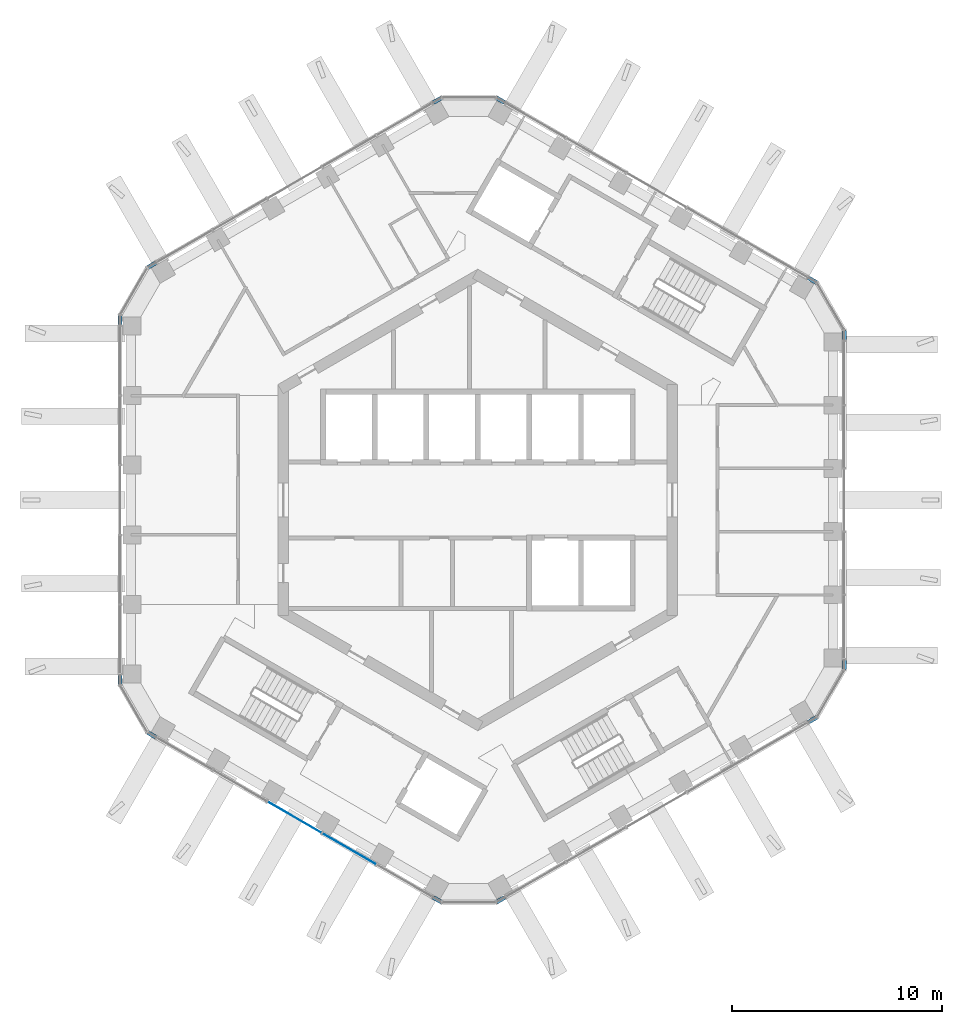
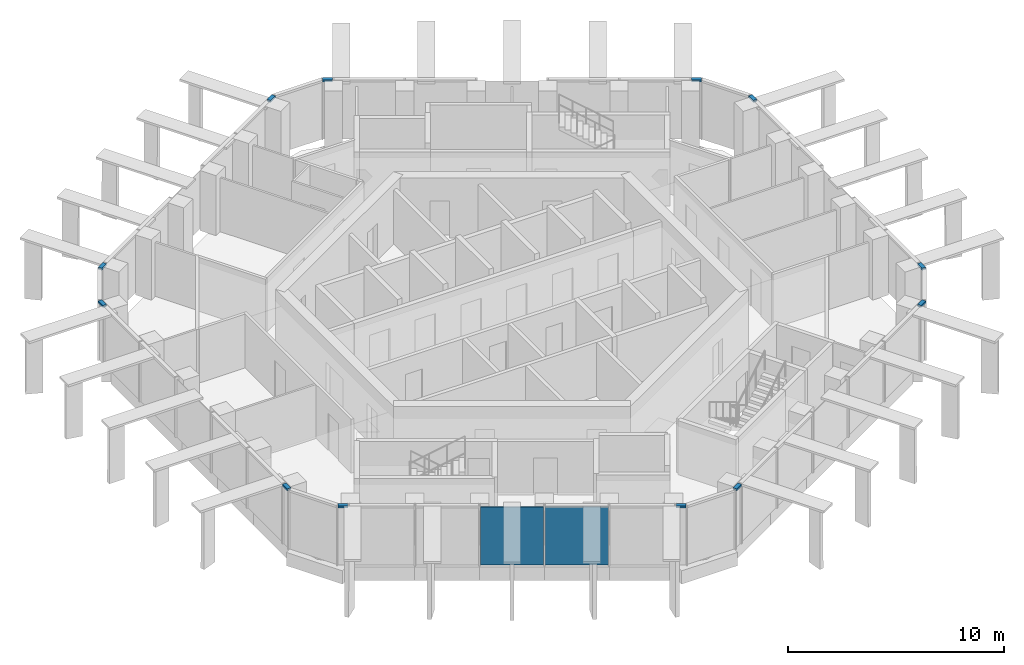
# One storey, part 6 of 18: 12 members, 2 plates, 7 elements without a shape of their own.
"""IFC4 building model written with IfcOpenShell, lengths in metres."""

from ifc_helpers import new_model, si_unit, direction, frame, origin, origin_2d, place, context, subcontext, project, spatial, rectangle, extrude, material, layer, layer_set, material_profile, profile_set, type_object, element, aggregate, save


model = new_model("IFC4")

# Units and contexts
model_context = context("Model", 3, precision=1e-05, world=origin(), true_north=direction((0.0, 1.0)))
body_context = subcontext(model_context, "Body", "Model", "MODEL_VIEW")
ifc_project = project(units=[si_unit("LENGTHUNIT", "METRE"), si_unit("AREAUNIT", "SQUARE_METRE"), si_unit("VOLUMEUNIT", "CUBIC_METRE"), si_unit("PLANEANGLEUNIT", "RADIAN"), si_unit("MASSUNIT", "GRAM", prefix="KILO")], contexts=[model_context])

# Site, building, storey
site_placement = place(None, origin())
site = spatial("IfcSite", under=ifc_project, at=site_placement, CompositionType="ELEMENT")
building_placement = place(site_placement, origin())
building = spatial("IfcBuilding", under=site, at=building_placement, Name="Ayvan Gate Tower", CompositionType="ELEMENT")
storey_placement = place(building_placement, frame((0.0, 0.0, 242.699951171875)))
storey = spatial("IfcBuildingStorey", under=building, at=storey_placement, Name="L65", CompositionType="ELEMENT", Elevation=242.699951171875)

# Curtain wall, members
ifc_material_1 = material(Name="Bronze anodised aluminium", Category="aluminium")
ifc_layer_1 = layer(ifc_material_1, 0.199951171875)
ifc_layer_set_1 = layer_set([ifc_layer_1], Name="Bronze anodised aluminium")
curtain_wall_type_1 = type_object("IfcCurtainWallType", Name="Stick curtain wall CW-6", PredefinedType="NOTDEFINED", material=ifc_layer_set_1)
curtain_wall_1_placement = place(storey_placement, origin())
curtain_wall_1 = element("IfcCurtainWall", 1, at=curtain_wall_1_placement, inside=storey, type_object=curtain_wall_type_1, Name="Stick curtain wall CW-6 L65", PredefinedType="NOTDEFINED")
ifc_material_profile = material_profile(ifc_material_1, rectangle(XDim=0.199951171875, YDim=0.1201171875, at=origin_2d()), Name="Stick curtain wall CW-6 transom 200 x 120")
ifc_profile_set = profile_set([ifc_material_profile], Name="Bronze anodised aluminium")
member_type = type_object("IfcMemberType", Name="Stick curtain wall CW-6 transom 200 x 120", PredefinedType="USERDEFINED", material=ifc_profile_set)
member_1_placement = place(storey_placement, frame((-15.29443359375, 11.27587890625, 3.340087890625), z_axis=(-0.866131372301, -0.499816412211, 0.0), x_axis=(0.499816412211, -0.866131372301, 0.0)))
member_1 = element("IfcMember", 2, at=member_1_placement, type_object=member_type, Name="CW-6 transom 1", ObjectType="TRANSOM", PredefinedType="USERDEFINED", context=body_context, shape_type="SweptSolid", body=[
    extrude(rectangle(XDim=0.199951171875, YDim=0.1201171875, at=origin_2d()), origin(), (0.0, 0.0, 1.0), 0.449951171875),
])
member_2_placement = place(storey_placement, frame((-16.9970703125, 8.77685546875, 3.340087890625), z_axis=(0.0, -1.0, 0.0), x_axis=(1.0, 0.0, 0.0)))
member_2 = element("IfcMember", 3, at=member_2_placement, type_object=member_type, Name="CW-6 transom 3", ObjectType="TRANSOM", PredefinedType="USERDEFINED", context=body_context, shape_type="SweptSolid", body=[
    extrude(rectangle(XDim=0.199951171875, YDim=0.1201171875, at=origin_2d()), origin(), (0.0, 0.0, 1.0), 0.449951171875),
])
aggregate(curtain_wall_1, [member_1, member_2])

curtain_wall_2_placement = place(storey_placement, origin())
curtain_wall_2 = element("IfcCurtainWall", 4, at=curtain_wall_2_placement, inside=storey, type_object=curtain_wall_type_1, Name="Stick curtain wall CW-6 L65", PredefinedType="NOTDEFINED")
member_3_placement = place(storey_placement, frame((-16.9970703125, -8.326904296875, 3.340087890625), z_axis=(0.0, -1.0, 0.0), x_axis=(1.0, 0.0, 0.0)))
member_3 = element("IfcMember", 5, at=member_3_placement, type_object=member_type, Name="CW-6 transom 1", ObjectType="TRANSOM", PredefinedType="USERDEFINED", context=body_context, shape_type="SweptSolid", body=[
    extrude(rectangle(XDim=0.199951171875, YDim=0.1201171875, at=origin_2d()), origin(), (0.0, 0.0, 1.0), 0.449951171875),
])
member_4_placement = place(storey_placement, frame((-15.68408203125, -11.051025390625, 3.340087890625), z_axis=(0.866131372301, -0.499816412211, 0.0), x_axis=(0.499816412211, 0.866131372301, 0.0)))
member_4 = element("IfcMember", 6, at=member_4_placement, type_object=member_type, Name="CW-6 transom 3", ObjectType="TRANSOM", PredefinedType="USERDEFINED", context=body_context, shape_type="SweptSolid", body=[
    extrude(rectangle(XDim=0.199951171875, YDim=0.1201171875, at=origin_2d()), origin(), (0.0, 0.0, 1.0), 0.449951171875),
])
aggregate(curtain_wall_2, [member_3, member_4])

curtain_wall_3_placement = place(storey_placement, origin())
curtain_wall_3 = element("IfcCurtainWall", 7, at=curtain_wall_3_placement, inside=storey, type_object=curtain_wall_type_1, Name="Stick curtain wall CW-6 L65", PredefinedType="NOTDEFINED")
member_5_placement = place(storey_placement, frame((-2.1181640625, -18.88330078125, 3.340087890625), z_axis=(0.866032067792, -0.499988457423, 0.0), x_axis=(0.499988457423, 0.866032067792, 0.0)))
member_5 = element("IfcMember", 8, at=member_5_placement, type_object=member_type, Name="CW-6 transom 1", ObjectType="TRANSOM", PredefinedType="USERDEFINED", context=body_context, shape_type="SweptSolid", body=[
    extrude(rectangle(XDim=0.199951171875, YDim=0.1201171875, at=origin_2d()), origin(), (0.0, 0.0, 1.0), 0.4501953125),
])
member_6_placement = place(storey_placement, frame((0.8974609375, -19.1083984375, 3.340087890625), z_axis=(0.865896406789, 0.500223362819, 0.0), x_axis=(-0.500223362819, 0.865896406789, 0.0)))
member_6 = element("IfcMember", 9, at=member_6_placement, type_object=member_type, Name="CW-6 transom 3", ObjectType="TRANSOM", PredefinedType="USERDEFINED", context=body_context, shape_type="SweptSolid", body=[
    extrude(rectangle(XDim=0.199951171875, YDim=0.1201171875, at=origin_2d()), origin(), (0.0, 0.0, 1.0), 0.449951171875),
])
aggregate(curtain_wall_3, [member_5, member_6])

curtain_wall_4_placement = place(storey_placement, origin())
curtain_wall_4 = element("IfcCurtainWall", 10, at=curtain_wall_4_placement, inside=storey, type_object=curtain_wall_type_1, Name="Stick curtain wall CW-6 L65", PredefinedType="NOTDEFINED")
member_7_placement = place(storey_placement, frame((15.7099609375, -10.556396484375, 3.340087890625), z_axis=(0.866131372301, 0.499816412211, 0.0), x_axis=(-0.499816412211, 0.866131372301, 0.0)))
member_7 = element("IfcMember", 11, at=member_7_placement, type_object=member_type, Name="CW-6 transom 1", ObjectType="TRANSOM", PredefinedType="USERDEFINED", context=body_context, shape_type="SweptSolid", body=[
    extrude(rectangle(XDim=0.199951171875, YDim=0.1201171875, at=origin_2d()), origin(), (0.0, 0.0, 1.0), 0.449951171875),
])
member_8_placement = place(storey_placement, frame((17.41259765625, -8.057373046875, 3.340087890625), z_axis=(0.0, 1.0, 0.0), x_axis=(-1.0, 0.0, 0.0)))
member_8 = element("IfcMember", 12, at=member_8_placement, type_object=member_type, Name="CW-6 transom 3", ObjectType="TRANSOM", PredefinedType="USERDEFINED", context=body_context, shape_type="SweptSolid", body=[
    extrude(rectangle(XDim=0.199951171875, YDim=0.1201171875, at=origin_2d()), origin(), (0.0, 0.0, 1.0), 0.449951171875),
])
aggregate(curtain_wall_4, [member_7, member_8])

curtain_wall_5_placement = place(storey_placement, origin())
curtain_wall_5 = element("IfcCurtainWall", 13, at=curtain_wall_5_placement, inside=storey, type_object=curtain_wall_type_1, Name="Stick curtain wall CW-6 L65", PredefinedType="NOTDEFINED")
member_9_placement = place(storey_placement, frame((17.41259765625, 7.607421875, 3.340087890625), z_axis=(0.0, 1.0, 0.0), x_axis=(-1.0, 0.0, 0.0)))
member_9 = element("IfcMember", 14, at=member_9_placement, type_object=member_type, Name="CW-6 transom 1", ObjectType="TRANSOM", PredefinedType="USERDEFINED", context=body_context, shape_type="SweptSolid", body=[
    extrude(rectangle(XDim=0.199951171875, YDim=0.1201171875, at=origin_2d()), origin(), (0.0, 0.0, 1.0), 0.449951171875),
])
member_10_placement = place(storey_placement, frame((16.099609375, 10.33154296875, 3.340087890625), z_axis=(-0.866131372301, 0.499816412211, 0.0), x_axis=(-0.499816412211, -0.866131372301, 0.0)))
member_10 = element("IfcMember", 15, at=member_10_placement, type_object=member_type, Name="CW-6 transom 3", ObjectType="TRANSOM", PredefinedType="USERDEFINED", context=body_context, shape_type="SweptSolid", body=[
    extrude(rectangle(XDim=0.199951171875, YDim=0.1201171875, at=origin_2d()), origin(), (0.0, 0.0, 1.0), 0.449951171875),
])
aggregate(curtain_wall_5, [member_9, member_10])

curtain_wall_6_placement = place(storey_placement, origin())
curtain_wall_6 = element("IfcCurtainWall", 16, at=curtain_wall_6_placement, inside=storey, type_object=curtain_wall_type_1, Name="Stick curtain wall CW-6 L65", PredefinedType="NOTDEFINED")
member_11_placement = place(storey_placement, frame((1.287109375, 18.88330078125, 3.340087890625), z_axis=(-0.865896406789, 0.500223362819, 0.0), x_axis=(-0.500223362819, -0.865896406789, 0.0)))
member_11 = element("IfcMember", 17, at=member_11_placement, type_object=member_type, Name="CW-6 transom 1", ObjectType="TRANSOM", PredefinedType="USERDEFINED", context=body_context, shape_type="SweptSolid", body=[
    extrude(rectangle(XDim=0.199951171875, YDim=0.1201171875, at=origin_2d()), origin(), (0.0, 0.0, 1.0), 0.449951171875),
])
member_12_placement = place(storey_placement, frame((-1.728271484375, 19.1083984375, 3.340087890625), z_axis=(-0.866032067792, -0.499988457423, 0.0), x_axis=(0.499988457423, -0.866032067792, 0.0)))
member_12 = element("IfcMember", 18, at=member_12_placement, type_object=member_type, Name="CW-6 transom 3", ObjectType="TRANSOM", PredefinedType="USERDEFINED", context=body_context, shape_type="SweptSolid", body=[
    extrude(rectangle(XDim=0.199951171875, YDim=0.1201171875, at=origin_2d()), origin(), (0.0, 0.0, 1.0), 0.4501953125),
])
aggregate(curtain_wall_6, [member_11, member_12])

# Curtain wall, plates
ifc_layer_2 = layer(ifc_material_1, 0.199951171875)
ifc_layer_set_2 = layer_set([ifc_layer_2], Name="Bronze anodised aluminium")
curtain_wall_type_2 = type_object("IfcCurtainWallType", Name="Stick curtain wall CW-2", PredefinedType="NOTDEFINED", material=ifc_layer_set_2)
curtain_wall_7_placement = place(storey_placement, origin())
curtain_wall_7 = element("IfcCurtainWall", 19, at=curtain_wall_7_placement, inside=storey, type_object=curtain_wall_type_2, Name="Stick curtain wall CW-2 L65", PredefinedType="NOTDEFINED")
ifc_material_2 = material(Name="Clear low-iron laminated glass", Category="glass")
ifc_layer_3 = layer(ifc_material_2, 0.028076171875)
ifc_layer_set_3 = layer_set([ifc_layer_3], Name="Clear low-iron laminated glass")
plate_type = type_object("IfcPlateType", Name="Stick curtain wall CW-2 glass panel", PredefinedType="CURTAIN_PANEL", material=ifc_layer_set_3)
plate_1_placement = place(storey_placement, frame((-8.7060546875, -15.079833984375, 0.0), z_axis=(0.0, 0.0, 1.0), x_axis=(0.866025403784, -0.5, 0.0)))
plate_1 = element("IfcPlate", 20, at=plate_1_placement, type_object=plate_type, Name="CW-2 glass panel 3", PredefinedType="CURTAIN_PANEL", context=body_context, shape_type="SweptSolid", body=[
    extrude(rectangle(XDim=2.930908203125, YDim=0.028076171875, at=origin_2d()), origin(), (0.0, 0.0, 1.0), 3.280029296875),
])
plate_2_placement = place(storey_placement, frame((-6.106689453125, -16.58056640625, 0.0), z_axis=(0.0, 0.0, 1.0), x_axis=(0.866025403784, -0.5, 0.0)))
plate_2 = element("IfcPlate", 21, at=plate_2_placement, type_object=plate_type, Name="CW-2 glass panel 4", PredefinedType="CURTAIN_PANEL", context=body_context, shape_type="SweptSolid", body=[
    extrude(rectangle(XDim=2.931884765625, YDim=0.028076171875, at=origin_2d()), origin(), (0.0, 0.0, 1.0), 3.280029296875),
])
aggregate(curtain_wall_7, [plate_1, plate_2])

save(model, "model.ifc")
